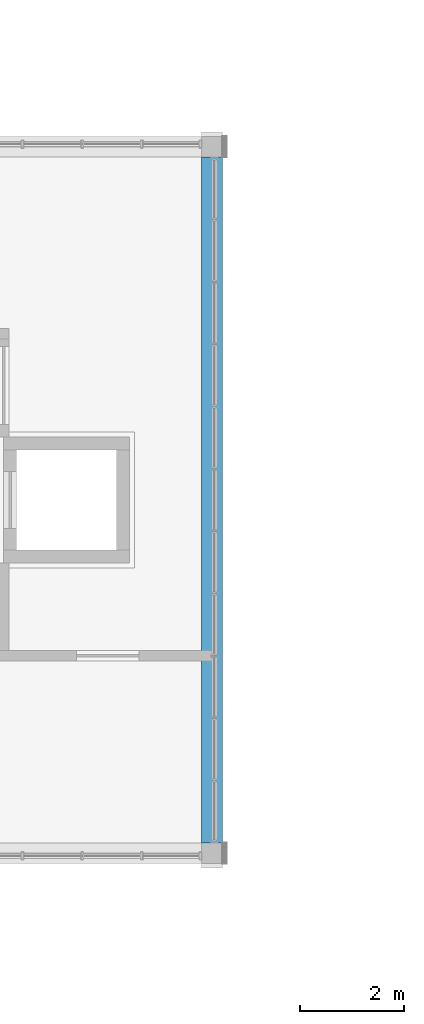
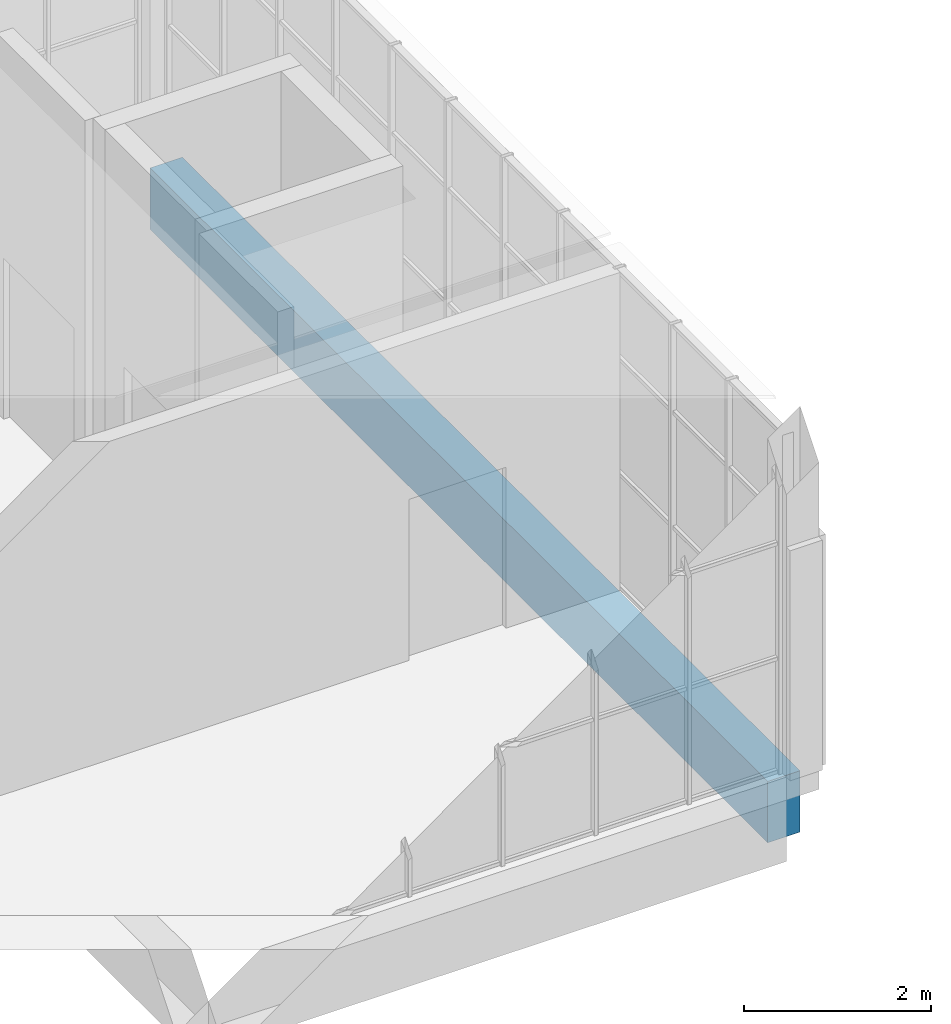
# One storey, part 37 of 125: 1 beam.
"""IFC4 building model written with IfcOpenShell, lengths in metres."""

from ifc_helpers import new_model, si_unit, direction, frame, origin, origin_2d, place, context, subcontext, project, spatial, rectangle, extrude, material, material_profile, profile_set, type_object, element, save


model = new_model("IFC4")

# Units and contexts
model_context = context("Model", 3, precision=1e-05, world=origin(), true_north=direction((0.0, 1.0)))
body_context = subcontext(model_context, "Body", "Model", "MODEL_VIEW")
ifc_project = project(units=[si_unit("LENGTHUNIT", "METRE"), si_unit("AREAUNIT", "SQUARE_METRE"), si_unit("VOLUMEUNIT", "CUBIC_METRE"), si_unit("PLANEANGLEUNIT", "RADIAN"), si_unit("MASSUNIT", "GRAM", prefix="KILO")], contexts=[model_context])

# Site, building, storey
site_placement = place(None, origin())
site = spatial("IfcSite", under=ifc_project, at=site_placement, CompositionType="ELEMENT")
building_placement = place(site_placement, origin())
building = spatial("IfcBuilding", under=site, at=building_placement, Name="Sun Court Science Centre", CompositionType="ELEMENT")
storey_placement = place(building_placement, frame((0.0, 0.0, 6.0)))
storey = spatial("IfcBuildingStorey", under=building, at=storey_placement, Name="L01", CompositionType="ELEMENT", Elevation=6.0)

# Beam
ifc_material = material(Name="Concrete C25/30", Category="concrete")
ifc_material_profile = material_profile(ifc_material, rectangle(XDim=0.39990234375, YDim=0.800048828125, at=origin_2d()), Name="RC 400x800")
ifc_profile_set = profile_set([ifc_material_profile], Name="Concrete C25/30")
beam_type = type_object("IfcBeamType", Name="RC girder 400x800", PredefinedType="BEAM", material=ifc_profile_set)
beam_placement = place(storey_placement, frame((65.800048828125, 36.39990234375, -0.699951171875), z_axis=(0.0, 1.0, 0.0), x_axis=(-1.0, 0.0, 0.0)))
element("IfcBeam", 1, at=beam_placement, inside=storey, type_object=beam_type, Name="Girder L01 line 3", PredefinedType="BEAM", context=body_context, shape_type="SweptSolid", body=[
    extrude(rectangle(XDim=0.39990234375, YDim=0.800048828125, at=origin_2d()), origin(), (0.0, 0.0, 1.0), 13.2001953125),
])

save(model, "model.ifc")
